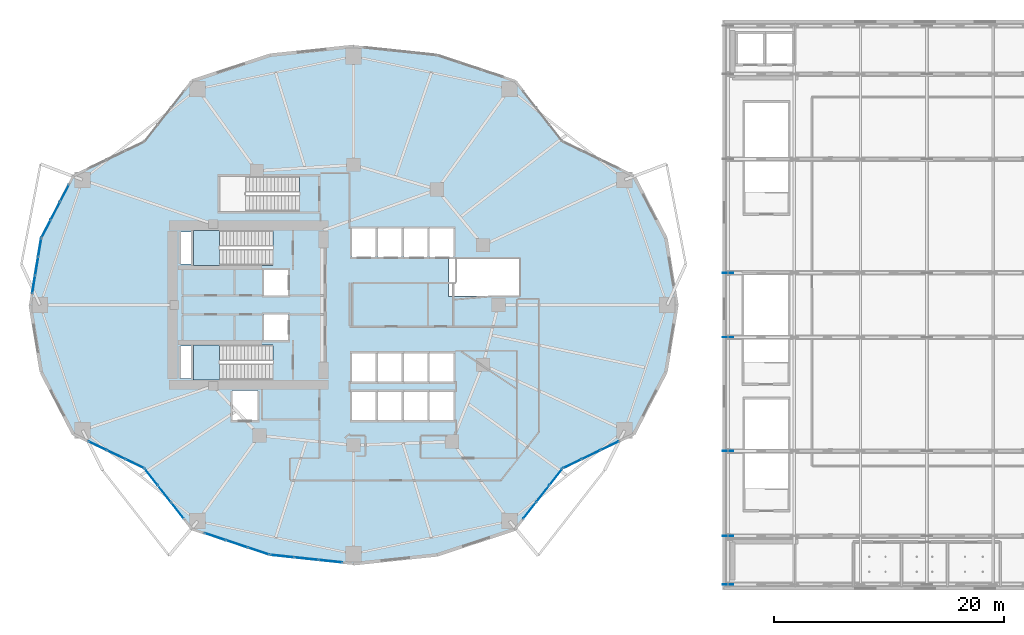
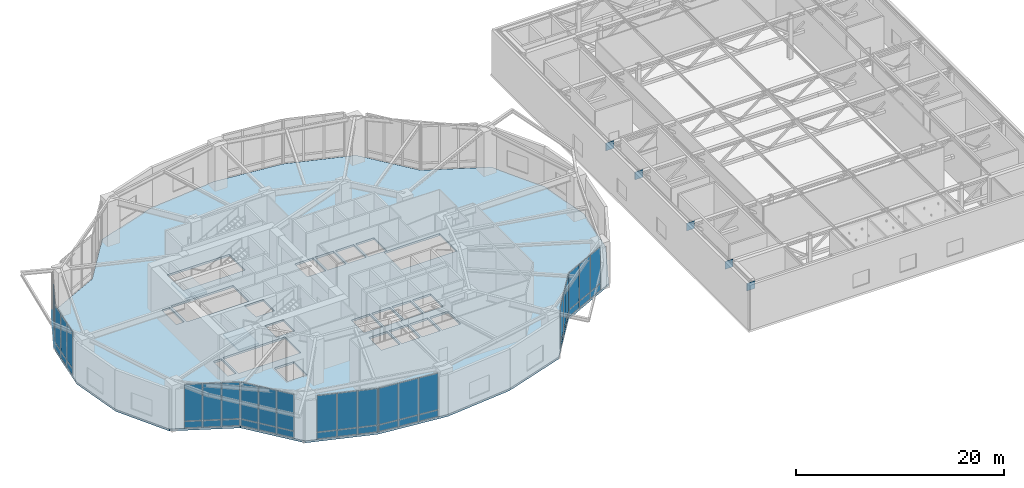
# One storey, part 14 of 29: 52 plates, 3 slabs, 10 elements without a shape of their own.
"""IFC4 building model written with IfcOpenShell, lengths in metres."""

from ifc_helpers import new_model, si_unit, direction, frame, origin, origin_2d, place, context, subcontext, project, spatial, polyline, rectangle, outline, extrude, material, layer, layer_set, type_object, element, aggregate, save


model = new_model("IFC4")

# Units and contexts
model_context = context("Model", 3, precision=1e-05, world=origin(), true_north=direction((0.0, 1.0)))
body_context = subcontext(model_context, "Body", "Model", "MODEL_VIEW")
ifc_project = project(units=[si_unit("LENGTHUNIT", "METRE"), si_unit("AREAUNIT", "SQUARE_METRE"), si_unit("VOLUMEUNIT", "CUBIC_METRE"), si_unit("PLANEANGLEUNIT", "RADIAN"), si_unit("MASSUNIT", "GRAM", prefix="KILO")], contexts=[model_context])

# Site, building, storey
site_placement = place(None, origin())
site = spatial("IfcSite", under=ifc_project, at=site_placement, CompositionType="ELEMENT")
building_placement = place(site_placement, origin())
building = spatial("IfcBuilding", under=site, at=building_placement, Name="Kolvaren Gate Tower and Convention Centre", CompositionType="ELEMENT")
storey_placement = place(building_placement, frame((0.0, 0.0, 21.0)))
storey = spatial("IfcBuildingStorey", under=building, at=storey_placement, Name="L04", CompositionType="ELEMENT", Elevation=21.0)

# Curtain wall, plates
ifc_material_1 = material(Name="Anodized Architectural Aluminium Alloy 6063-T6", Category="aluminium")
ifc_layer_1 = layer(ifc_material_1, 0.179931640625)
ifc_layer_set_1 = layer_set([ifc_layer_1], Name="Anodized Architectural Aluminium Alloy 6063-T6")
curtain_wall_type = type_object("IfcCurtainWallType", Name="CW-POD-GLZ", PredefinedType="NOTDEFINED", material=ifc_layer_set_1)
curtain_wall_1_placement = place(storey_placement, origin())
curtain_wall_1 = element("IfcCurtainWall", 1, at=curtain_wall_1_placement, inside=storey, type_object=curtain_wall_type, Name="Tower L04 Unitised Curtain Wall CW-POD-GLZ Bay 10", PredefinedType="NOTDEFINED")
ifc_material_2 = material(Name="Low-E Triple Insulated Glazing Unit 44 mm", Category="glass")
ifc_layer_2 = layer(ifc_material_2, 0.0439453125)
ifc_layer_set_2 = layer_set([ifc_layer_2], Name="Low-E Triple Insulated Glazing Unit 44 mm")
plate_type_1 = type_object("IfcPlateType", Name="CW-PL-IGU-44", PredefinedType="CURTAIN_PANEL", material=ifc_layer_set_2)
plate_1_placement = place(storey_placement, frame((3.373779296875, 33.625732421875, 0.8876953125), z_axis=(0.0, 0.0, 1.0), x_axis=(0.459789264949, 0.888028058024, 0.0)))
plate_1 = element("IfcPlate", 2, at=plate_1_placement, type_object=plate_type_1, Name="CW-01 panel 1.2", PredefinedType="CURTAIN_PANEL", context=body_context, shape_type="SweptSolid", body=[
    extrude(rectangle(XDim=1.6572265625, YDim=0.0439453125, at=origin_2d()), origin(), (0.0, 0.0, 1.0), 4.257568359375),
])
plate_2_placement = place(storey_placement, frame((4.1787109375, 35.1806640625, 0.8876953125), z_axis=(0.0, 0.0, 1.0), x_axis=(0.459789264949, 0.888028058024, 0.0)))
plate_2 = element("IfcPlate", 3, at=plate_2_placement, type_object=plate_type_1, Name="CW-01 panel 2.2", PredefinedType="CURTAIN_PANEL", context=body_context, shape_type="SweptSolid", body=[
    extrude(rectangle(XDim=1.694580078125, YDim=0.0439453125, at=origin_2d()), origin(), (0.0, 0.0, 1.0), 4.257568359375),
])

curtain_wall_2_placement = place(storey_placement, origin())
curtain_wall_2 = element("IfcCurtainWall", 4, at=curtain_wall_2_placement, inside=storey, type_object=curtain_wall_type, Name="Tower L04 Unitised Curtain Wall CW-POD-GLZ Bay 11", PredefinedType="NOTDEFINED")
plate_3_placement = place(storey_placement, frame((2.295166015625, 28.793212890625, 0.8876953125), z_axis=(0.0, 0.0, 1.0), x_axis=(0.162376449454, 0.986728883059, 0.0)))
plate_3 = element("IfcPlate", 5, at=plate_3_placement, type_object=plate_type_1, Name="CW-01 panel 1.2", PredefinedType="CURTAIN_PANEL", context=body_context, shape_type="SweptSolid", body=[
    extrude(rectangle(XDim=1.52880859375, YDim=0.0439453125, at=origin_2d()), origin(), (0.0, 0.0, 1.0), 4.257568359375),
])
plate_4_placement = place(storey_placement, frame((2.55859375, 30.394287109375, 0.8876953125), z_axis=(0.0, 0.0, 1.0), x_axis=(0.162376449454, 0.986728883059, 0.0)))
plate_4 = element("IfcPlate", 6, at=plate_4_placement, type_object=plate_type_1, Name="CW-01 panel 2.2", PredefinedType="CURTAIN_PANEL", context=body_context, shape_type="SweptSolid", body=[
    extrude(rectangle(XDim=1.566162109375, YDim=0.0439453125, at=origin_2d()), origin(), (0.0, 0.0, 1.0), 4.257568359375),
])
plate_5_placement = place(storey_placement, frame((2.822021484375, 31.9951171875, 0.8876953125), z_axis=(0.0, 0.0, 1.0), x_axis=(0.162376449454, 0.986728883059, 0.0)))
plate_5 = element("IfcPlate", 7, at=plate_5_placement, type_object=plate_type_1, Name="CW-01 panel 3.2", PredefinedType="CURTAIN_PANEL", context=body_context, shape_type="SweptSolid", body=[
    extrude(rectangle(XDim=1.52880859375, YDim=0.0439453125, at=origin_2d()), origin(), (0.0, 0.0, 1.0), 4.257568359375),
])

curtain_wall_3_placement = place(storey_placement, origin())
curtain_wall_3 = element("IfcCurtainWall", 8, at=curtain_wall_3_placement, inside=storey, type_object=curtain_wall_type, Name="Tower L04 Unitised Curtain Wall CW-POD-GLZ Bay 14", PredefinedType="NOTDEFINED")
plate_6_placement = place(storey_placement, frame((7.85009765625, 14.749755859375, 0.8876953125), z_axis=(0.0, 0.0, 1.0), x_axis=(0.901366679942, -0.433056703319, 0.0)))
plate_6 = element("IfcPlate", 9, at=plate_6_placement, type_object=plate_type_1, Name="CW-01 panel 1.2", PredefinedType="CURTAIN_PANEL", context=body_context, shape_type="SweptSolid", body=[
    extrude(rectangle(XDim=1.707763671875, YDim=0.0439453125, at=origin_2d()), origin(), (0.0, 0.0, 1.0), 4.257568359375),
])
plate_7_placement = place(storey_placement, frame((9.4736328125, 13.969482421875, 0.8876953125), z_axis=(0.0, 0.0, 1.0), x_axis=(0.901366679942, -0.433056703319, 0.0)))
plate_7 = element("IfcPlate", 10, at=plate_7_placement, type_object=plate_type_1, Name="CW-01 panel 2.2", PredefinedType="CURTAIN_PANEL", context=body_context, shape_type="SweptSolid", body=[
    extrude(rectangle(XDim=1.7451171875, YDim=0.0439453125, at=origin_2d()), origin(), (0.0, 0.0, 1.0), 4.257568359375),
])
plate_8_placement = place(storey_placement, frame((11.097412109375, 13.189453125, 0.8876953125), z_axis=(0.0, 0.0, 1.0), x_axis=(0.901366679942, -0.433056703319, 0.0)))
plate_8 = element("IfcPlate", 11, at=plate_8_placement, type_object=plate_type_1, Name="CW-01 panel 3.2", PredefinedType="CURTAIN_PANEL", context=body_context, shape_type="SweptSolid", body=[
    extrude(rectangle(XDim=1.707763671875, YDim=0.0439453125, at=origin_2d()), origin(), (0.0, 0.0, 1.0), 4.257568359375),
])

curtain_wall_4_placement = place(storey_placement, origin())
curtain_wall_4 = element("IfcCurtainWall", 12, at=curtain_wall_4_placement, inside=storey, type_object=curtain_wall_type, Name="Tower L04 Unitised Curtain Wall CW-POD-GLZ Bay 15", PredefinedType="NOTDEFINED")
plate_9_placement = place(storey_placement, frame((12.523681640625, 12.034912109375, 0.8876953125), z_axis=(0.0, 0.0, 1.0), x_axis=(0.616421003276, -0.787416755422, 0.0)))
plate_9 = element("IfcPlate", 13, at=plate_9_placement, type_object=plate_type_1, Name="CW-01 panel 1.2", PredefinedType="CURTAIN_PANEL", context=body_context, shape_type="SweptSolid", body=[
    extrude(rectangle(XDim=1.7607421875, YDim=0.0439453125, at=origin_2d()), origin(), (0.0, 0.0, 1.0), 4.257568359375),
])
plate_10_placement = place(storey_placement, frame((13.666748046875, 10.574462890625, 0.8876953125), z_axis=(0.0, 0.0, 1.0), x_axis=(0.616421003276, -0.787416755422, 0.0)))
plate_10 = element("IfcPlate", 14, at=plate_10_placement, type_object=plate_type_1, Name="CW-01 panel 2.2", PredefinedType="CURTAIN_PANEL", context=body_context, shape_type="SweptSolid", body=[
    extrude(rectangle(XDim=1.79833984375, YDim=0.0439453125, at=origin_2d()), origin(), (0.0, 0.0, 1.0), 4.257568359375),
])
plate_11_placement = place(storey_placement, frame((14.81005859375, 9.1142578125, 0.8876953125), z_axis=(0.0, 0.0, 1.0), x_axis=(0.616421003276, -0.787416755422, 0.0)))
plate_11 = element("IfcPlate", 15, at=plate_11_placement, type_object=plate_type_1, Name="CW-01 panel 3.2", PredefinedType="CURTAIN_PANEL", context=body_context, shape_type="SweptSolid", body=[
    extrude(rectangle(XDim=1.7607421875, YDim=0.0439453125, at=origin_2d()), origin(), (0.0, 0.0, 1.0), 4.257568359375),
])

curtain_wall_5_placement = place(storey_placement, origin())
curtain_wall_5 = element("IfcCurtainWall", 16, at=curtain_wall_5_placement, inside=storey, type_object=curtain_wall_type, Name="Tower L04 Unitised Curtain Wall CW-POD-GLZ Bay 16", PredefinedType="NOTDEFINED")
plate_12_placement = place(storey_placement, frame((18.076904296875, 6.846923828125, 0.8876953125), z_axis=(0.0, 0.0, 1.0), x_axis=(0.949242053404, -0.314546537175, 0.0)))
plate_12 = element("IfcPlate", 17, at=plate_12_placement, type_object=plate_type_1, Name="CW-01 panel 1.2", PredefinedType="CURTAIN_PANEL", context=body_context, shape_type="SweptSolid", body=[
    extrude(rectangle(XDim=1.904541015625, YDim=0.0439453125, at=origin_2d()), origin(), (0.0, 0.0, 1.0), 4.257568359375),
])
plate_13_placement = place(storey_placement, frame((19.973876953125, 6.21826171875, 0.8876953125), z_axis=(0.0, 0.0, 1.0), x_axis=(0.949242053404, -0.314546537175, 0.0)))
plate_13 = element("IfcPlate", 18, at=plate_13_placement, type_object=plate_type_1, Name="CW-01 panel 2.2", PredefinedType="CURTAIN_PANEL", context=body_context, shape_type="SweptSolid", body=[
    extrude(rectangle(XDim=1.94189453125, YDim=0.0439453125, at=origin_2d()), origin(), (0.0, 0.0, 1.0), 4.257568359375),
])
plate_14_placement = place(storey_placement, frame((21.87060546875, 5.58984375, 0.8876953125), z_axis=(0.0, 0.0, 1.0), x_axis=(0.949242053404, -0.314546537175, 0.0)))
plate_14 = element("IfcPlate", 19, at=plate_14_placement, type_object=plate_type_1, Name="CW-01 panel 3.2", PredefinedType="CURTAIN_PANEL", context=body_context, shape_type="SweptSolid", body=[
    extrude(rectangle(XDim=1.904541015625, YDim=0.0439453125, at=origin_2d()), origin(), (0.0, 0.0, 1.0), 4.257568359375),
])

curtain_wall_6_placement = place(storey_placement, origin())
curtain_wall_6 = element("IfcCurtainWall", 20, at=curtain_wall_6_placement, inside=storey, type_object=curtain_wall_type, Name="Tower L04 Unitised Curtain Wall CW-POD-GLZ Bay 17", PredefinedType="NOTDEFINED")
plate_15_placement = place(storey_placement, frame((23.923583984375, 5.153076171875, 0.8876953125), z_axis=(0.0, 0.0, 1.0), x_axis=(0.994499449653, -0.104741799872, 0.0)))
plate_15 = element("IfcPlate", 21, at=plate_15_placement, type_object=plate_type_1, Name="CW-01 panel 1.2", PredefinedType="CURTAIN_PANEL", context=body_context, shape_type="SweptSolid", body=[
    extrude(rectangle(XDim=2.017822265625, YDim=0.0439453125, at=origin_2d()), origin(), (0.0, 0.0, 1.0), 4.257568359375),
])
plate_16_placement = place(storey_placement, frame((26.023681640625, 4.931884765625, 0.8876953125), z_axis=(0.0, 0.0, 1.0), x_axis=(0.994499449653, -0.104741799872, 0.0)))
plate_16 = element("IfcPlate", 22, at=plate_16_placement, type_object=plate_type_1, Name="CW-01 panel 2.2", PredefinedType="CURTAIN_PANEL", context=body_context, shape_type="SweptSolid", body=[
    extrude(rectangle(XDim=2.055419921875, YDim=0.0439453125, at=origin_2d()), origin(), (0.0, 0.0, 1.0), 4.257568359375),
])
plate_17_placement = place(storey_placement, frame((28.12353515625, 4.7109375, 0.8876953125), z_axis=(0.0, 0.0, 1.0), x_axis=(0.994499449653, -0.104741799872, 0.0)))
plate_17 = element("IfcPlate", 23, at=plate_17_placement, type_object=plate_type_1, Name="CW-01 panel 3.2", PredefinedType="CURTAIN_PANEL", context=body_context, shape_type="SweptSolid", body=[
    extrude(rectangle(XDim=2.017822265625, YDim=0.0439453125, at=origin_2d()), origin(), (0.0, 0.0, 1.0), 4.257568359375),
])

curtain_wall_7_placement = place(storey_placement, origin())
curtain_wall_7 = element("IfcCurtainWall", 24, at=curtain_wall_7_placement, inside=storey, type_object=curtain_wall_type, Name="Tower L04 Unitised Curtain Wall CW-POD-GLZ Bay 20", PredefinedType="NOTDEFINED")
plate_18_placement = place(storey_placement, frame((45.439697265625, 9.114013671875, 0.8876953125), z_axis=(0.0, 0.0, 1.0), x_axis=(0.616425794643, 0.787413004527, 0.0)))
plate_18 = element("IfcPlate", 25, at=plate_18_placement, type_object=plate_type_1, Name="CW-01 panel 1.2", PredefinedType="CURTAIN_PANEL", context=body_context, shape_type="SweptSolid", body=[
    extrude(rectangle(XDim=1.760986328125, YDim=0.0439453125, at=origin_2d()), origin(), (0.0, 0.0, 1.0), 4.257568359375),
])
plate_19_placement = place(storey_placement, frame((46.5830078125, 10.574462890625, 0.8876953125), z_axis=(0.0, 0.0, 1.0), x_axis=(0.616425794643, 0.787413004527, 0.0)))
plate_19 = element("IfcPlate", 26, at=plate_19_placement, type_object=plate_type_1, Name="CW-01 panel 2.2", PredefinedType="CURTAIN_PANEL", context=body_context, shape_type="SweptSolid", body=[
    extrude(rectangle(XDim=1.79833984375, YDim=0.0439453125, at=origin_2d()), origin(), (0.0, 0.0, 1.0), 4.257568359375),
])
plate_20_placement = place(storey_placement, frame((47.726318359375, 12.034912109375, 0.8876953125), z_axis=(0.0, 0.0, 1.0), x_axis=(0.616425794643, 0.787413004527, 0.0)))
plate_20 = element("IfcPlate", 27, at=plate_20_placement, type_object=plate_type_1, Name="CW-01 panel 3.2", PredefinedType="CURTAIN_PANEL", context=body_context, shape_type="SweptSolid", body=[
    extrude(rectangle(XDim=1.760986328125, YDim=0.0439453125, at=origin_2d()), origin(), (0.0, 0.0, 1.0), 4.257568359375),
])

curtain_wall_8_placement = place(storey_placement, origin())
curtain_wall_8 = element("IfcCurtainWall", 28, at=curtain_wall_8_placement, inside=storey, type_object=curtain_wall_type, Name="Tower L04 Unitised Curtain Wall CW-POD-GLZ Bay 21", PredefinedType="NOTDEFINED")
plate_21_placement = place(storey_placement, frame((49.15234375, 13.189453125, 0.8876953125), z_axis=(0.0, 0.0, 1.0), x_axis=(0.90136380435, 0.433062688542, 0.0)))
plate_21 = element("IfcPlate", 29, at=plate_21_placement, type_object=plate_type_1, Name="CW-01 panel 1.2", PredefinedType="CURTAIN_PANEL", context=body_context, shape_type="SweptSolid", body=[
    extrude(rectangle(XDim=1.70751953125, YDim=0.0439453125, at=origin_2d()), origin(), (0.0, 0.0, 1.0), 4.257568359375),
])
plate_22_placement = place(storey_placement, frame((50.77587890625, 13.969482421875, 0.8876953125), z_axis=(0.0, 0.0, 1.0), x_axis=(0.90136380435, 0.433062688542, 0.0)))
plate_22 = element("IfcPlate", 30, at=plate_22_placement, type_object=plate_type_1, Name="CW-01 panel 2.2", PredefinedType="CURTAIN_PANEL", context=body_context, shape_type="SweptSolid", body=[
    extrude(rectangle(XDim=1.744873046875, YDim=0.0439453125, at=origin_2d()), origin(), (0.0, 0.0, 1.0), 4.257568359375),
])
plate_23_placement = place(storey_placement, frame((52.399658203125, 14.74951171875, 0.8876953125), z_axis=(0.0, 0.0, 1.0), x_axis=(0.90136380435, 0.433062688542, 0.0)))
plate_23 = element("IfcPlate", 31, at=plate_23_placement, type_object=plate_type_1, Name="CW-01 panel 3.2", PredefinedType="CURTAIN_PANEL", context=body_context, shape_type="SweptSolid", body=[
    extrude(rectangle(XDim=1.70751953125, YDim=0.0439453125, at=origin_2d()), origin(), (0.0, 0.0, 1.0), 4.257568359375),
])

# Plate
ifc_material_3 = material(Name="Solar-Control Laminated Curtain Glazing 36 mm", Category="glass")
ifc_layer_3 = layer(ifc_material_3, 0.035888671875)
ifc_layer_set_3 = layer_set([ifc_layer_3], Name="Solar-Control Laminated Curtain Glazing 36 mm")
plate_type_2 = type_object("IfcPlateType", Name="CW-PL-SPAN-36", PredefinedType="CURTAIN_PANEL", material=ifc_layer_set_3)
plate_24_placement = place(storey_placement, frame((3.373779296875, 33.625732421875, 0.0751953125), z_axis=(0.0, 0.0, 1.0), x_axis=(0.459789264949, 0.888028058024, 0.0)))
plate_24 = element("IfcPlate", 32, at=plate_24_placement, type_object=plate_type_2, Name="CW-01 panel 1.1", PredefinedType="CURTAIN_PANEL", context=body_context, shape_type="SweptSolid", body=[
    extrude(rectangle(XDim=1.6572265625, YDim=0.035888671875, at=origin_2d()), origin(), (0.0, 0.0, 1.0), 0.737548828125),
])

plate_25_placement = place(storey_placement, frame((4.1787109375, 35.1806640625, 0.0751953125), z_axis=(0.0, 0.0, 1.0), x_axis=(0.459789264949, 0.888028058024, 0.0)))
plate_25 = element("IfcPlate", 33, at=plate_25_placement, type_object=plate_type_2, Name="CW-01 panel 2.1", PredefinedType="CURTAIN_PANEL", context=body_context, shape_type="SweptSolid", body=[
    extrude(rectangle(XDim=1.694580078125, YDim=0.035888671875, at=origin_2d()), origin(), (0.0, 0.0, 1.0), 0.737548828125),
])

plate_26_placement = place(storey_placement, frame((4.98388671875, 36.735595703125, 0.0751953125), z_axis=(0.0, 0.0, 1.0), x_axis=(0.459789264949, 0.888028058024, 0.0)))
plate_26 = element("IfcPlate", 34, at=plate_26_placement, type_object=plate_type_2, Name="CW-01 panel 3.1", PredefinedType="CURTAIN_PANEL", context=body_context, shape_type="SweptSolid", body=[
    extrude(rectangle(XDim=1.6572265625, YDim=0.035888671875, at=origin_2d()), origin(), (0.0, 0.0, 1.0), 0.737548828125),
])

aggregate(curtain_wall_1, [plate_24, plate_1, plate_25, plate_2, plate_26])

plate_27_placement = place(storey_placement, frame((2.295166015625, 28.793212890625, 0.0751953125), z_axis=(0.0, 0.0, 1.0), x_axis=(0.162376449454, 0.986728883059, 0.0)))
plate_27 = element("IfcPlate", 35, at=plate_27_placement, type_object=plate_type_2, Name="CW-01 panel 1.1", PredefinedType="CURTAIN_PANEL", context=body_context, shape_type="SweptSolid", body=[
    extrude(rectangle(XDim=1.52880859375, YDim=0.035888671875, at=origin_2d()), origin(), (0.0, 0.0, 1.0), 0.737548828125),
])

plate_28_placement = place(storey_placement, frame((2.55859375, 30.394287109375, 0.0751953125), z_axis=(0.0, 0.0, 1.0), x_axis=(0.162376449454, 0.986728883059, 0.0)))
plate_28 = element("IfcPlate", 36, at=plate_28_placement, type_object=plate_type_2, Name="CW-01 panel 2.1", PredefinedType="CURTAIN_PANEL", context=body_context, shape_type="SweptSolid", body=[
    extrude(rectangle(XDim=1.566162109375, YDim=0.035888671875, at=origin_2d()), origin(), (0.0, 0.0, 1.0), 0.737548828125),
])

plate_29_placement = place(storey_placement, frame((2.822021484375, 31.9951171875, 0.0751953125), z_axis=(0.0, 0.0, 1.0), x_axis=(0.162376449454, 0.986728883059, 0.0)))
plate_29 = element("IfcPlate", 37, at=plate_29_placement, type_object=plate_type_2, Name="CW-01 panel 3.1", PredefinedType="CURTAIN_PANEL", context=body_context, shape_type="SweptSolid", body=[
    extrude(rectangle(XDim=1.52880859375, YDim=0.035888671875, at=origin_2d()), origin(), (0.0, 0.0, 1.0), 0.737548828125),
])

aggregate(curtain_wall_2, [plate_27, plate_3, plate_28, plate_4, plate_29, plate_5])

plate_30_placement = place(storey_placement, frame((7.85009765625, 14.749755859375, 0.0751953125), z_axis=(0.0, 0.0, 1.0), x_axis=(0.901366679942, -0.433056703319, 0.0)))
plate_30 = element("IfcPlate", 38, at=plate_30_placement, type_object=plate_type_2, Name="CW-01 panel 1.1", PredefinedType="CURTAIN_PANEL", context=body_context, shape_type="SweptSolid", body=[
    extrude(rectangle(XDim=1.707763671875, YDim=0.035888671875, at=origin_2d()), origin(), (0.0, 0.0, 1.0), 0.737548828125),
])

plate_31_placement = place(storey_placement, frame((9.4736328125, 13.969482421875, 0.0751953125), z_axis=(0.0, 0.0, 1.0), x_axis=(0.901366679942, -0.433056703319, 0.0)))
plate_31 = element("IfcPlate", 39, at=plate_31_placement, type_object=plate_type_2, Name="CW-01 panel 2.1", PredefinedType="CURTAIN_PANEL", context=body_context, shape_type="SweptSolid", body=[
    extrude(rectangle(XDim=1.7451171875, YDim=0.035888671875, at=origin_2d()), origin(), (0.0, 0.0, 1.0), 0.737548828125),
])

plate_32_placement = place(storey_placement, frame((11.097412109375, 13.189453125, 0.0751953125), z_axis=(0.0, 0.0, 1.0), x_axis=(0.901366679942, -0.433056703319, 0.0)))
plate_32 = element("IfcPlate", 40, at=plate_32_placement, type_object=plate_type_2, Name="CW-01 panel 3.1", PredefinedType="CURTAIN_PANEL", context=body_context, shape_type="SweptSolid", body=[
    extrude(rectangle(XDim=1.707763671875, YDim=0.035888671875, at=origin_2d()), origin(), (0.0, 0.0, 1.0), 0.737548828125),
])

aggregate(curtain_wall_3, [plate_30, plate_6, plate_31, plate_7, plate_32, plate_8])

plate_33_placement = place(storey_placement, frame((12.523681640625, 12.034912109375, 0.0751953125), z_axis=(0.0, 0.0, 1.0), x_axis=(0.616421003276, -0.787416755422, 0.0)))
plate_33 = element("IfcPlate", 41, at=plate_33_placement, type_object=plate_type_2, Name="CW-01 panel 1.1", PredefinedType="CURTAIN_PANEL", context=body_context, shape_type="SweptSolid", body=[
    extrude(rectangle(XDim=1.7607421875, YDim=0.035888671875, at=origin_2d()), origin(), (0.0, 0.0, 1.0), 0.737548828125),
])

plate_34_placement = place(storey_placement, frame((13.666748046875, 10.574462890625, 0.0751953125), z_axis=(0.0, 0.0, 1.0), x_axis=(0.616421003276, -0.787416755422, 0.0)))
plate_34 = element("IfcPlate", 42, at=plate_34_placement, type_object=plate_type_2, Name="CW-01 panel 2.1", PredefinedType="CURTAIN_PANEL", context=body_context, shape_type="SweptSolid", body=[
    extrude(rectangle(XDim=1.79833984375, YDim=0.035888671875, at=origin_2d()), origin(), (0.0, 0.0, 1.0), 0.737548828125),
])

plate_35_placement = place(storey_placement, frame((14.81005859375, 9.1142578125, 0.0751953125), z_axis=(0.0, 0.0, 1.0), x_axis=(0.616421003276, -0.787416755422, 0.0)))
plate_35 = element("IfcPlate", 43, at=plate_35_placement, type_object=plate_type_2, Name="CW-01 panel 3.1", PredefinedType="CURTAIN_PANEL", context=body_context, shape_type="SweptSolid", body=[
    extrude(rectangle(XDim=1.7607421875, YDim=0.035888671875, at=origin_2d()), origin(), (0.0, 0.0, 1.0), 0.737548828125),
])

aggregate(curtain_wall_4, [plate_33, plate_9, plate_34, plate_10, plate_35, plate_11])

plate_36_placement = place(storey_placement, frame((18.076904296875, 6.846923828125, 0.0751953125), z_axis=(0.0, 0.0, 1.0), x_axis=(0.949242053404, -0.314546537175, 0.0)))
plate_36 = element("IfcPlate", 44, at=plate_36_placement, type_object=plate_type_2, Name="CW-01 panel 1.1", PredefinedType="CURTAIN_PANEL", context=body_context, shape_type="SweptSolid", body=[
    extrude(rectangle(XDim=1.904541015625, YDim=0.035888671875, at=origin_2d()), origin(), (0.0, 0.0, 1.0), 0.737548828125),
])

plate_37_placement = place(storey_placement, frame((19.973876953125, 6.21826171875, 0.0751953125), z_axis=(0.0, 0.0, 1.0), x_axis=(0.949242053404, -0.314546537175, 0.0)))
plate_37 = element("IfcPlate", 45, at=plate_37_placement, type_object=plate_type_2, Name="CW-01 panel 2.1", PredefinedType="CURTAIN_PANEL", context=body_context, shape_type="SweptSolid", body=[
    extrude(rectangle(XDim=1.94189453125, YDim=0.035888671875, at=origin_2d()), origin(), (0.0, 0.0, 1.0), 0.737548828125),
])

plate_38_placement = place(storey_placement, frame((21.87060546875, 5.58984375, 0.0751953125), z_axis=(0.0, 0.0, 1.0), x_axis=(0.949242053404, -0.314546537175, 0.0)))
plate_38 = element("IfcPlate", 46, at=plate_38_placement, type_object=plate_type_2, Name="CW-01 panel 3.1", PredefinedType="CURTAIN_PANEL", context=body_context, shape_type="SweptSolid", body=[
    extrude(rectangle(XDim=1.904541015625, YDim=0.035888671875, at=origin_2d()), origin(), (0.0, 0.0, 1.0), 0.737548828125),
])

aggregate(curtain_wall_5, [plate_36, plate_12, plate_37, plate_13, plate_38, plate_14])

plate_39_placement = place(storey_placement, frame((23.923583984375, 5.153076171875, 0.0751953125), z_axis=(0.0, 0.0, 1.0), x_axis=(0.994499449653, -0.104741799872, 0.0)))
plate_39 = element("IfcPlate", 47, at=plate_39_placement, type_object=plate_type_2, Name="CW-01 panel 1.1", PredefinedType="CURTAIN_PANEL", context=body_context, shape_type="SweptSolid", body=[
    extrude(rectangle(XDim=2.017822265625, YDim=0.035888671875, at=origin_2d()), origin(), (0.0, 0.0, 1.0), 0.737548828125),
])

plate_40_placement = place(storey_placement, frame((26.023681640625, 4.931884765625, 0.0751953125), z_axis=(0.0, 0.0, 1.0), x_axis=(0.994499449653, -0.104741799872, 0.0)))
plate_40 = element("IfcPlate", 48, at=plate_40_placement, type_object=plate_type_2, Name="CW-01 panel 2.1", PredefinedType="CURTAIN_PANEL", context=body_context, shape_type="SweptSolid", body=[
    extrude(rectangle(XDim=2.055419921875, YDim=0.035888671875, at=origin_2d()), origin(), (0.0, 0.0, 1.0), 0.737548828125),
])

plate_41_placement = place(storey_placement, frame((28.12353515625, 4.7109375, 0.0751953125), z_axis=(0.0, 0.0, 1.0), x_axis=(0.994499449653, -0.104741799872, 0.0)))
plate_41 = element("IfcPlate", 49, at=plate_41_placement, type_object=plate_type_2, Name="CW-01 panel 3.1", PredefinedType="CURTAIN_PANEL", context=body_context, shape_type="SweptSolid", body=[
    extrude(rectangle(XDim=2.017822265625, YDim=0.035888671875, at=origin_2d()), origin(), (0.0, 0.0, 1.0), 0.737548828125),
])

aggregate(curtain_wall_6, [plate_39, plate_15, plate_40, plate_16, plate_41, plate_17])

plate_42_placement = place(storey_placement, frame((45.439697265625, 9.114013671875, 0.0751953125), z_axis=(0.0, 0.0, 1.0), x_axis=(0.616425794643, 0.787413004527, 0.0)))
plate_42 = element("IfcPlate", 50, at=plate_42_placement, type_object=plate_type_2, Name="CW-01 panel 1.1", PredefinedType="CURTAIN_PANEL", context=body_context, shape_type="SweptSolid", body=[
    extrude(rectangle(XDim=1.760986328125, YDim=0.035888671875, at=origin_2d()), origin(), (0.0, 0.0, 1.0), 0.737548828125),
])

plate_43_placement = place(storey_placement, frame((46.5830078125, 10.574462890625, 0.0751953125), z_axis=(0.0, 0.0, 1.0), x_axis=(0.616425794643, 0.787413004527, 0.0)))
plate_43 = element("IfcPlate", 51, at=plate_43_placement, type_object=plate_type_2, Name="CW-01 panel 2.1", PredefinedType="CURTAIN_PANEL", context=body_context, shape_type="SweptSolid", body=[
    extrude(rectangle(XDim=1.79833984375, YDim=0.035888671875, at=origin_2d()), origin(), (0.0, 0.0, 1.0), 0.737548828125),
])

plate_44_placement = place(storey_placement, frame((47.726318359375, 12.034912109375, 0.0751953125), z_axis=(0.0, 0.0, 1.0), x_axis=(0.616425794643, 0.787413004527, 0.0)))
plate_44 = element("IfcPlate", 52, at=plate_44_placement, type_object=plate_type_2, Name="CW-01 panel 3.1", PredefinedType="CURTAIN_PANEL", context=body_context, shape_type="SweptSolid", body=[
    extrude(rectangle(XDim=1.760986328125, YDim=0.035888671875, at=origin_2d()), origin(), (0.0, 0.0, 1.0), 0.737548828125),
])

aggregate(curtain_wall_7, [plate_42, plate_18, plate_43, plate_19, plate_44, plate_20])

plate_45_placement = place(storey_placement, frame((49.15234375, 13.189453125, 0.0751953125), z_axis=(0.0, 0.0, 1.0), x_axis=(0.90136380435, 0.433062688542, 0.0)))
plate_45 = element("IfcPlate", 53, at=plate_45_placement, type_object=plate_type_2, Name="CW-01 panel 1.1", PredefinedType="CURTAIN_PANEL", context=body_context, shape_type="SweptSolid", body=[
    extrude(rectangle(XDim=1.70751953125, YDim=0.035888671875, at=origin_2d()), origin(), (0.0, 0.0, 1.0), 0.737548828125),
])

plate_46_placement = place(storey_placement, frame((50.77587890625, 13.969482421875, 0.0751953125), z_axis=(0.0, 0.0, 1.0), x_axis=(0.90136380435, 0.433062688542, 0.0)))
plate_46 = element("IfcPlate", 54, at=plate_46_placement, type_object=plate_type_2, Name="CW-01 panel 2.1", PredefinedType="CURTAIN_PANEL", context=body_context, shape_type="SweptSolid", body=[
    extrude(rectangle(XDim=1.744873046875, YDim=0.035888671875, at=origin_2d()), origin(), (0.0, 0.0, 1.0), 0.737548828125),
])

plate_47_placement = place(storey_placement, frame((52.399658203125, 14.74951171875, 0.0751953125), z_axis=(0.0, 0.0, 1.0), x_axis=(0.90136380435, 0.433062688542, 0.0)))
plate_47 = element("IfcPlate", 55, at=plate_47_placement, type_object=plate_type_2, Name="CW-01 panel 3.1", PredefinedType="CURTAIN_PANEL", context=body_context, shape_type="SweptSolid", body=[
    extrude(rectangle(XDim=1.70751953125, YDim=0.035888671875, at=origin_2d()), origin(), (0.0, 0.0, 1.0), 0.737548828125),
])

aggregate(curtain_wall_8, [plate_45, plate_21, plate_46, plate_22, plate_47, plate_23])

# Plates
ifc_material_4 = material(Name="Structural steel plate ASTM A572 Grade 345 MPa", Category="steel")
ifc_layer_4 = layer(ifc_material_4, 0.035888671875)
ifc_layer_set_4 = layer_set([ifc_layer_4], Name="Structural steel plate ASTM A572 Grade 345 MPa")
plate_type_3 = type_object("IfcPlateType", Name="STR-PL-GUSSET-36", PredefinedType="USERDEFINED", material=ifc_layer_set_4)
for number, where, z_axis, x_axis, name in (
    (56, (62.699951171875, 2.699951171875, 4.31005859375), (0.0, 0.0, 1.0), (1.0, 0.0, 0.0), "Roof Truss Concentric Node Gusset Plate GP-TR01-1"),
    (57, (62.699951171875, 6.89990234375, 4.31005859375), (0.0, 0.0, 1.0), (1.0, 0.0, 0.0), "Roof Truss Concentric Node Gusset Plate GP-TR02-1"),
    (58, (62.699951171875, 14.300048828125, 4.31005859375), (0.0, 0.0, 1.0), (1.0, 0.0, 0.0), "Roof Truss Concentric Node Gusset Plate GP-TR03-1"),
    (59, (62.699951171875, 24.199951171875, 4.31005859375), (0.0, 0.0, 1.0), (1.0, 0.0, 0.0), "Roof Truss Concentric Node Gusset Plate GP-TR04-1"),
    (60, (62.699951171875, 29.800048828125, 4.31005859375), (0.0, 0.0, 1.0), (1.0, 0.0, 0.0), "Roof Truss Concentric Node Gusset Plate GP-TR05-1"),
):
    element("IfcPlate", number, at=place(storey_placement, frame(where, z_axis=z_axis, x_axis=x_axis)), inside=storey, type_object=plate_type_3, Name=name, ObjectType="GUSSET PLATE", PredefinedType="USERDEFINED", context=body_context, shape_type="SweptSolid", body=[
        extrude(rectangle(XDim=0.89990234375, YDim=0.035888671875, at=origin_2d()), origin(), (0.0, 0.0, 1.0), 0.89990234375),
    ])

# Slab
ifc_material_5 = material(Name="Concrete C40/50", Category="concrete")
ifc_layer_5 = layer(ifc_material_5, 0.239990234375)
ifc_layer_set_5 = layer_set([ifc_layer_5], Name="Concrete C40/50")
slab_type_1 = type_object("IfcSlabType", Name="STR-SL-FLR-240", PredefinedType="FLOOR", material=ifc_layer_set_5)
slab_1_placement = place(storey_placement, frame((0.0, 0.0, -0.239990234375)))
element("IfcSlab", 61, at=slab_1_placement, inside=storey, type_object=slab_type_1, Name="Tower L04 Structural Floor Slab", PredefinedType="FLOOR", context=body_context, shape_type="SweptSolid", body=[
    extrude(outline(polyline([(58.25, 27.0), (57.291748046875, 32.823486328125), (54.48193359375, 38.25), (48.315185546875, 41.212890625), (44.1875, 46.485595703125), (37.404296875, 48.7333984375), (30.125, 49.5), (22.845703125, 48.7333984375), (16.0625, 46.485595703125), (11.934814453125, 41.212890625), (5.76806640625, 38.25), (2.958251953125, 32.823486328125), (2.0, 27.0), (2.958251953125, 21.176513671875), (5.76806640625, 15.75), (11.934814453125, 12.787109375), (16.0625, 7.514404296875), (22.845703125, 5.2666015625), (30.125, 4.5), (37.404296875, 5.2666015625), (44.1875, 7.514404296875), (48.315185546875, 12.787109375), (54.48193359375, 15.75), (57.291748046875, 21.176513671875), (58.25, 27.0)]), holes=[polyline([(38.39990234375, 31.10009765625), (44.60009765625, 31.10009765625), (44.60009765625, 27.75), (38.39990234375, 27.75), (38.39990234375, 31.10009765625)]), polyline([(36.75, 33.64990234375), (38.800048828125, 33.64990234375), (38.800048828125, 31.199951171875), (36.75, 31.199951171875), (36.75, 33.64990234375)]), polyline([(36.75, 22.800048828125), (38.800048828125, 22.800048828125), (38.800048828125, 20.35009765625), (36.75, 20.35009765625), (36.75, 22.800048828125)]), polyline([(36.75, 19.449951171875), (38.800048828125, 19.449951171875), (38.800048828125, 17.0), (36.75, 17.0), (36.75, 19.449951171875)]), polyline([(34.5, 33.64990234375), (36.550048828125, 33.64990234375), (36.550048828125, 31.199951171875), (34.5, 31.199951171875), (34.5, 33.64990234375)]), polyline([(34.5, 20.35009765625), (34.5, 22.800048828125), (36.550048828125, 22.800048828125), (36.550048828125, 20.35009765625), (34.5, 20.35009765625)]), polyline([(34.5, 17.0), (34.5, 19.449951171875), (36.550048828125, 19.449951171875), (36.550048828125, 17.0), (34.5, 17.0)]), polyline([(32.25, 31.199951171875), (32.25, 33.64990234375), (34.300048828125, 33.64990234375), (34.300048828125, 31.199951171875), (32.25, 31.199951171875)]), polyline([(32.25, 22.800048828125), (34.300048828125, 22.800048828125), (34.300048828125, 20.35009765625), (32.25, 20.35009765625), (32.25, 22.800048828125)]), polyline([(32.25, 17.0), (32.25, 19.449951171875), (34.300048828125, 19.449951171875), (34.300048828125, 17.0), (32.25, 17.0)]), polyline([(30.0, 33.64990234375), (32.050048828125, 33.64990234375), (32.050048828125, 31.199951171875), (30.0, 31.199951171875), (30.0, 33.64990234375)]), polyline([(30.0, 20.35009765625), (30.0, 22.800048828125), (32.050048828125, 22.800048828125), (32.050048828125, 20.35009765625), (30.0, 20.35009765625)]), polyline([(30.0, 17.0), (30.0, 19.449951171875), (32.050048828125, 19.449951171875), (32.050048828125, 17.0), (30.0, 17.0)]), polyline([(25.39990234375, 38.199951171875), (25.39990234375, 35.159912109375), (18.5, 35.159912109375), (18.5, 38.199951171875), (25.39990234375, 38.199951171875)]), polyline([(22.35009765625, 27.840087890625), (22.35009765625, 30.0400390625), (24.39990234375, 30.0400390625), (24.39990234375, 27.840087890625), (22.35009765625, 27.840087890625)]), polyline([(22.35009765625, 23.9599609375), (22.35009765625, 26.159912109375), (24.39990234375, 26.159912109375), (24.39990234375, 23.9599609375), (22.35009765625, 23.9599609375)]), polyline([(23.10009765625, 30.4599609375), (16.199951171875, 30.4599609375), (16.199951171875, 33.5), (23.10009765625, 33.5), (23.10009765625, 30.4599609375)]), polyline([(23.10009765625, 20.5), (16.199951171875, 20.5), (16.199951171875, 23.5400390625), (23.10009765625, 23.5400390625), (23.10009765625, 20.5)]), polyline([(19.60009765625, 17.0), (19.60009765625, 19.550048828125), (21.75, 19.550048828125), (21.75, 17.0), (19.60009765625, 17.0)]), polyline([(15.080078125, 23.419921875), (15.969970703125, 23.419921875), (15.969970703125, 20.6298828125), (15.080078125, 20.6298828125), (15.080078125, 23.419921875)]), polyline([(15.080078125, 30.580078125), (15.080078125, 33.3701171875), (15.969970703125, 33.3701171875), (15.969970703125, 30.580078125), (15.080078125, 30.580078125)])]), origin(), (0.0, 0.0, 1.0), 0.239990234375),
])

# Stair, slab
ifc_material_6 = material(Name="Concrete C50/60", Category="concrete")
stair_type = type_object("IfcStairType", Name="STR-STAIR-CORE", PredefinedType="HALF_TURN_STAIR", material=ifc_material_6)
stair_1_placement = place(storey_placement, origin())
stair_1 = element("IfcStair", 62, at=stair_1_placement, inside=storey, type_object=stair_type, Name="L04 Tower North Exit Stair ST-T1", PredefinedType="HALF_TURN_STAIR")
ifc_layer_6 = layer(ifc_material_6, 0.199951171875)
ifc_layer_set_6 = layer_set([ifc_layer_6], Name="Concrete C50/60")
slab_type_2 = type_object("IfcSlabType", Name="STR-SL-LAND-200", PredefinedType="LANDING", material=ifc_layer_set_6)
slab_2_placement = place(storey_placement, frame((0.0, 0.0, 2.550048828125)))
slab_2 = element("IfcSlab", 63, at=slab_2_placement, type_object=slab_type_2, Name="ST-T1 landing 1", PredefinedType="LANDING", context=body_context, shape_type="SweptSolid", body=[
    extrude(outline(polyline([(18.449951171875, 33.5), (16.199951171875, 33.5), (16.199951171875, 30.4599609375), (18.449951171875, 30.4599609375), (18.449951171875, 33.5)])), origin(), (0.0, 0.0, 1.0), 0.199951171875),
])
aggregate(stair_1, [slab_2])

stair_2_placement = place(storey_placement, origin())
stair_2 = element("IfcStair", 64, at=stair_2_placement, inside=storey, type_object=stair_type, Name="L04 Tower South Exit Stair ST-T2", PredefinedType="HALF_TURN_STAIR")
slab_3_placement = place(storey_placement, frame((0.0, 0.0, 2.550048828125)))
slab_3 = element("IfcSlab", 65, at=slab_3_placement, type_object=slab_type_2, Name="ST-T2 landing 1", PredefinedType="LANDING", context=body_context, shape_type="SweptSolid", body=[
    extrude(outline(polyline([(18.449951171875, 23.5400390625), (16.199951171875, 23.5400390625), (16.199951171875, 20.5), (18.449951171875, 20.5), (18.449951171875, 23.5400390625)])), origin(), (0.0, 0.0, 1.0), 0.199951171875),
])
aggregate(stair_2, [slab_3])

save(model, "model.ifc")
